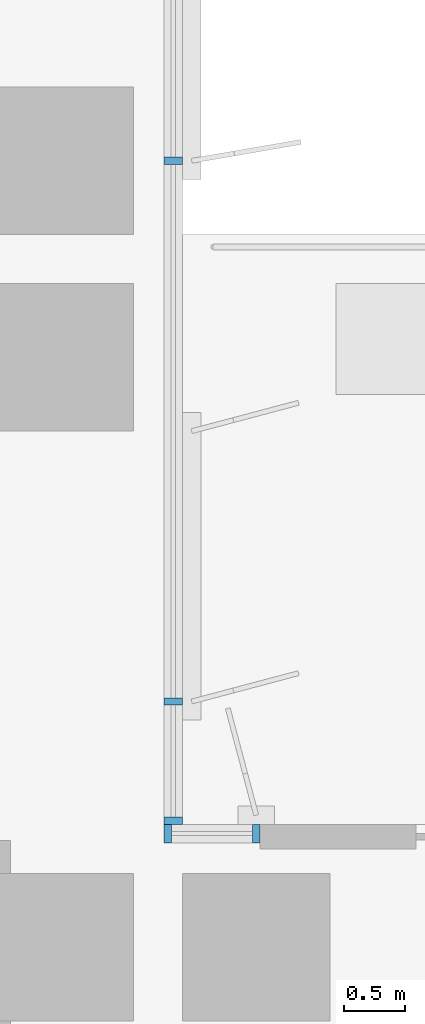
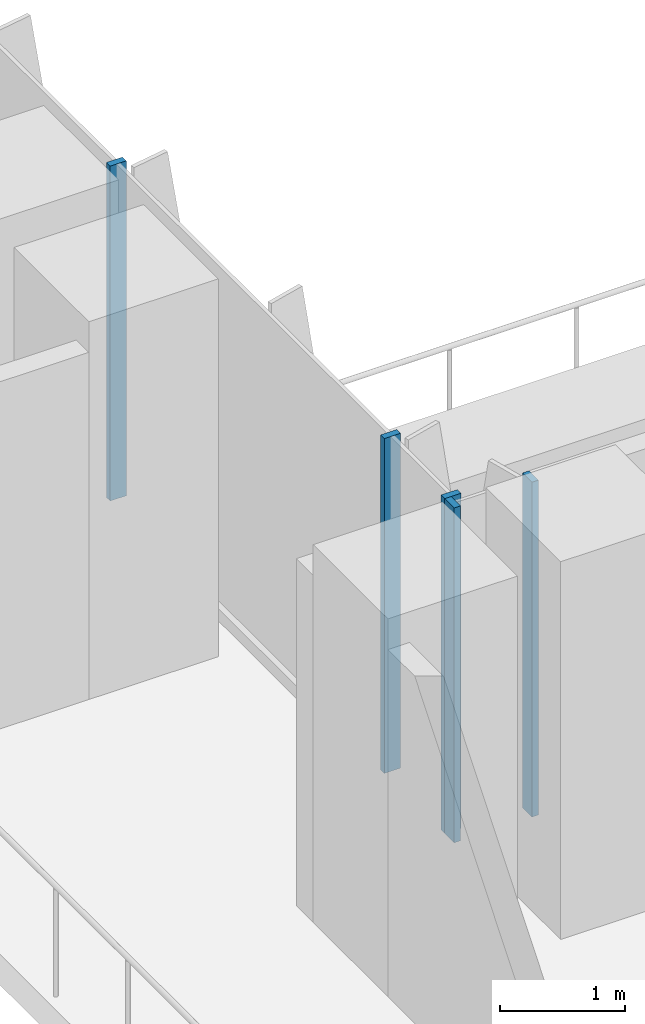
# One storey, part 2 of 27: 5 members, 2 elements without a shape of their own.
"""IFC4 building model written with IfcOpenShell, lengths in metres."""

from ifc_helpers import new_model, si_unit, direction, frame, origin, origin_2d, place, context, subcontext, project, spatial, rectangle, extrude, source, transform, mapped, material, material_profile, profile_set, type_object, element, aggregate, save


model = new_model("IFC4")

# Units and contexts
model_context = context("Model", 3, precision=1e-05, world=origin(), true_north=direction((0.0, 1.0)))
body_context = subcontext(model_context, "Body", "Model", "MODEL_VIEW")
ifc_project = project(units=[si_unit("LENGTHUNIT", "METRE"), si_unit("AREAUNIT", "SQUARE_METRE"), si_unit("VOLUMEUNIT", "CUBIC_METRE"), si_unit("PLANEANGLEUNIT", "RADIAN"), si_unit("MASSUNIT", "GRAM", prefix="KILO")], contexts=[model_context])

# Site, building, storey
site_placement = place(None, origin())
site = spatial("IfcSite", under=ifc_project, at=site_placement, CompositionType="ELEMENT")
building_placement = place(site_placement, origin())
building = spatial("IfcBuilding", under=site, at=building_placement, Name="Kemantara Hotel Tower", CompositionType="ELEMENT")
storey_placement = place(building_placement, frame((0.0, 0.0, 83.39990234375)))
storey = spatial("IfcBuildingStorey", under=building, at=storey_placement, Name="L19", CompositionType="ELEMENT", Elevation=83.39990234375)

# Curtain wall, members
ifc_material_1 = material(Name="Low-E tinted double insulated glass 36 mm", Category="glass")
curtain_wall_type_1 = type_object("IfcCurtainWallType", Name="TOWER CURTAIN WALL, FRONT FACES", PredefinedType="USERDEFINED", material=ifc_material_1)
curtain_wall_1_placement = place(storey_placement, origin())
curtain_wall_1 = element("IfcCurtainWall", 1, at=curtain_wall_1_placement, inside=storey, type_object=curtain_wall_type_1, Name="CW4 L19 T2-R14-1", ObjectType="TOWER CURTAIN WALL, FRONT FACES", PredefinedType="USERDEFINED")
ifc_material_2 = material(Name="Aluminium 6063-T6 bronze anodised", Category="aluminium")
ifc_material_profile_1 = material_profile(ifc_material_2, rectangle(XDim=0.14990234375, YDim=0.06005859375, at=origin_2d()), Name="TOWER CURTAIN WALL, FRONT FACES MULLION")
ifc_profile_set_1 = profile_set([ifc_material_profile_1], Name="Aluminium 6063-T6 bronze anodised")
member_type_1 = type_object("IfcMemberType", Name="TOWER CURTAIN WALL, FRONT FACES MULLION", PredefinedType="MULLION", material=ifc_profile_set_1)
shared_shape_1 = source(origin(), body_context, "Body", "SweptSolid", [
    extrude(rectangle(XDim=0.14990234375, YDim=0.06005859375, at=origin_2d()), origin(), (0.0, 0.0, 1.0), 3.280029296875),
])
member_1_placement = place(storey_placement, frame((26.72509765625, 22.030029296875, 0.1201171875), z_axis=(0.0, 0.0, 1.0), x_axis=(-1.0, 0.0, 0.0)))
member_1 = element("IfcMember", 2, at=member_1_placement, type_object=member_type_1, Name="CW4 mullion T2-R14-1.1", PredefinedType="MULLION", context=body_context, shape_type="MappedRepresentation", body=[
    mapped(shared_shape_1, transform((0.0, 0.0, 0.0))),
])
member_2_placement = place(storey_placement, frame((26.72509765625, 23.0, 0.1201171875), z_axis=(0.0, 0.0, 1.0), x_axis=(-1.0, 0.0, 0.0)))
member_2 = element("IfcMember", 3, at=member_2_placement, type_object=member_type_1, Name="CW4 mullion T2-R14-1.2", PredefinedType="MULLION", context=body_context, shape_type="MappedRepresentation", body=[
    mapped(shared_shape_1, transform((0.0, 0.0, 0.0))),
])
member_3_placement = place(storey_placement, frame((26.72509765625, 27.39990234375, 0.1201171875), z_axis=(0.0, 0.0, 1.0), x_axis=(-1.0, 0.0, 0.0)))
member_3 = element("IfcMember", 4, at=member_3_placement, type_object=member_type_1, Name="CW4 mullion T2-R14-1.3", PredefinedType="MULLION", context=body_context, shape_type="MappedRepresentation", body=[
    mapped(shared_shape_1, transform((0.0, 0.0, 0.0))),
])
aggregate(curtain_wall_1, [member_1, member_2, member_3])

ifc_material_3 = material(Name="Toughened tinted glass 32 mm", Category="glass")
curtain_wall_type_2 = type_object("IfcCurtainWallType", Name="TERRACE GLAZING WALL", PredefinedType="USERDEFINED", material=ifc_material_3)
curtain_wall_2_placement = place(storey_placement, origin())
curtain_wall_2 = element("IfcCurtainWall", 5, at=curtain_wall_2_placement, inside=storey, type_object=curtain_wall_type_2, Name="CW6 L19 T2-R13-5", ObjectType="TERRACE GLAZING WALL", PredefinedType="USERDEFINED")
ifc_material_profile_2 = material_profile(ifc_material_2, rectangle(XDim=0.14990234375, YDim=0.06005859375, at=origin_2d()), Name="TERRACE GLAZING WALL MULLION")
ifc_profile_set_2 = profile_set([ifc_material_profile_2], Name="Aluminium 6063-T6 bronze anodised")
member_type_2 = type_object("IfcMemberType", Name="TERRACE GLAZING WALL MULLION", PredefinedType="MULLION", material=ifc_profile_set_2)
shared_shape_2 = source(origin(), body_context, "Body", "SweptSolid", [
    extrude(rectangle(XDim=0.14990234375, YDim=0.06005859375, at=origin_2d()), origin(), (0.0, 0.0, 1.0), 3.280029296875),
])
member_4_placement = place(storey_placement, frame((27.39990234375, 21.925048828125, 0.1201171875), z_axis=(0.0, 0.0, 1.0), x_axis=(0.0, -1.0, 0.0)))
member_4 = element("IfcMember", 6, at=member_4_placement, type_object=member_type_2, Name="CW6 mullion T2-R13-5.1", PredefinedType="MULLION", context=body_context, shape_type="MappedRepresentation", body=[
    mapped(shared_shape_2, transform((0.0, 0.0, 0.0))),
])
member_5_placement = place(storey_placement, frame((26.679931640625, 21.925048828125, 0.1201171875), z_axis=(0.0, 0.0, 1.0), x_axis=(0.0, -1.0, 0.0)))
member_5 = element("IfcMember", 7, at=member_5_placement, type_object=member_type_2, Name="CW6 mullion T2-R13-5.2", PredefinedType="MULLION", context=body_context, shape_type="MappedRepresentation", body=[
    mapped(shared_shape_2, transform((0.0, 0.0, 0.0))),
])
aggregate(curtain_wall_2, [member_4, member_5])

save(model, "model.ifc")
